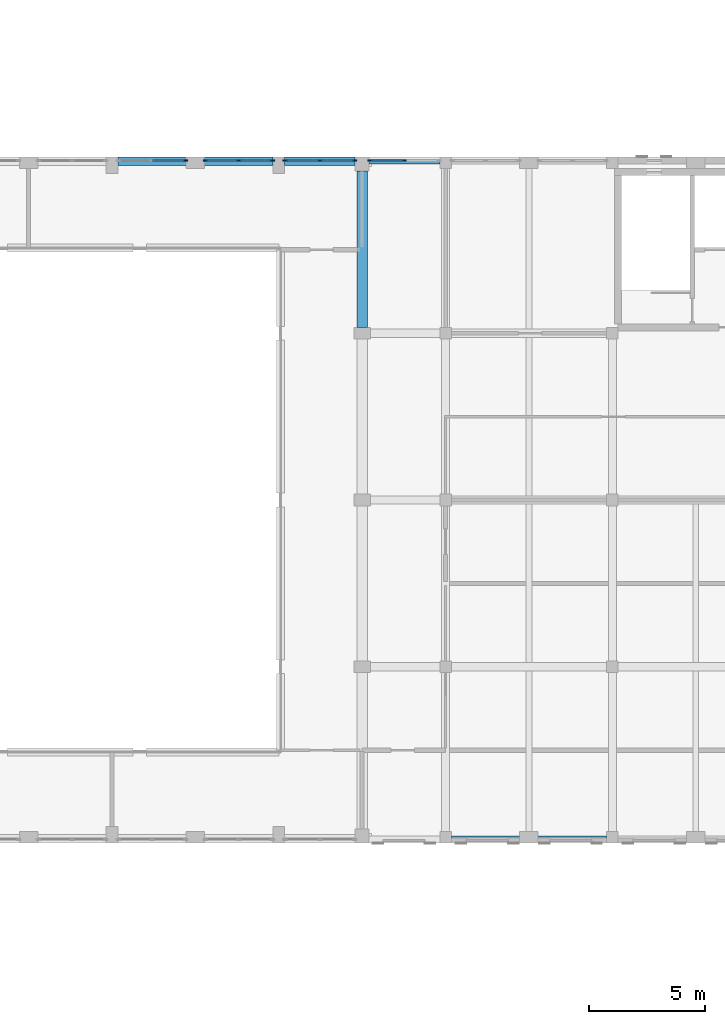
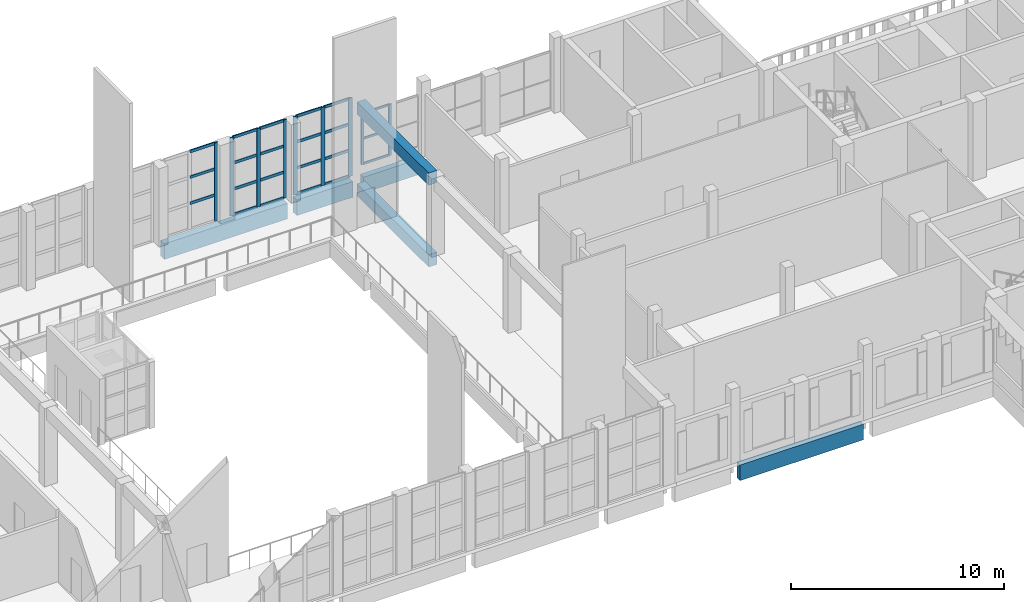
# One storey, part 9 of 54: 31 members, 6 beams, 4 elements without a shape of their own.
"""IFC4 building model written with IfcOpenShell, lengths in metres."""

from ifc_helpers import new_model, si_unit, direction, frame, origin, origin_2d, place, context, subcontext, project, spatial, rectangle, extrude, material, layer, layer_set, material_profile, profile_set, type_object, element, aggregate, save


model = new_model("IFC4")

# Units and contexts
model_context = context("Model", 3, precision=1e-05, world=origin(), true_north=direction((0.0, 1.0)))
body_context = subcontext(model_context, "Body", "Model", "MODEL_VIEW")
ifc_project = project(units=[si_unit("LENGTHUNIT", "METRE"), si_unit("AREAUNIT", "SQUARE_METRE"), si_unit("VOLUMEUNIT", "CUBIC_METRE"), si_unit("PLANEANGLEUNIT", "RADIAN"), si_unit("MASSUNIT", "GRAM", prefix="KILO")], contexts=[model_context])

# Site, building, storey
site_placement = place(None, origin())
site = spatial("IfcSite", under=ifc_project, at=site_placement, CompositionType="ELEMENT")
building_placement = place(site_placement, origin())
building = spatial("IfcBuilding", under=site, at=building_placement, Name="Ussher Court Research Institute", CompositionType="ELEMENT")
storey_placement = place(building_placement, frame((0.0, 0.0, 14.39990234375)))
storey = spatial("IfcBuildingStorey", under=building, at=storey_placement, Name="L03", CompositionType="ELEMENT", Elevation=14.39990234375)

# Curtain wall, members
ifc_material_1 = material(Name="Bronze anodised aluminium with solar-control glass", Category="aluminium")
ifc_layer_1 = layer(ifc_material_1, 0.1201171875)
ifc_layer_set_1 = layer_set([ifc_layer_1], Name="Bronze anodised aluminium with solar-control glass")
curtain_wall_type_1 = type_object("IfcCurtainWallType", Name="Curtain wall reading gallery front", PredefinedType="NOTDEFINED", material=ifc_layer_set_1)
curtain_wall_1_placement = place(storey_placement, origin())
curtain_wall_1 = element("IfcCurtainWall", 1, at=curtain_wall_1_placement, inside=storey, type_object=curtain_wall_type_1, Name="Curtain wall CW12 L03", PredefinedType="NOTDEFINED")
ifc_material_2 = material(Name="Bronze anodised aluminium", Category="aluminium")
ifc_material_profile_1 = material_profile(ifc_material_2, rectangle(XDim=0.06005859375, YDim=0.159912109375, at=origin_2d()), Name="Mullion 60x160")
ifc_profile_set_1 = profile_set([ifc_material_profile_1], Name="Bronze anodised aluminium")
member_type_1 = type_object("IfcMemberType", Name="Mullion 60x160", PredefinedType="MULLION", material=ifc_profile_set_1)
member_1_placement = place(storey_placement, frame((64.530029296875, 40.25, 0.4501953125), z_axis=(0.0, 0.0, 1.0), x_axis=(0.0, 1.0, 0.0)))
member_1 = element("IfcMember", 2, at=member_1_placement, type_object=member_type_1, Name="CW12 mullion 1", PredefinedType="MULLION", context=body_context, shape_type="SweptSolid", body=[
    extrude(rectangle(XDim=0.06005859375, YDim=0.159912109375, at=origin_2d()), origin(), (0.0, 0.0, 1.0), 2.949951171875),
])
member_2_placement = place(storey_placement, frame((66.02490234375, 40.25, 0.4501953125), z_axis=(0.0, 0.0, 1.0), x_axis=(0.0, 1.0, 0.0)))
member_2 = element("IfcMember", 3, at=member_2_placement, type_object=member_type_1, Name="CW12 mullion 2", PredefinedType="MULLION", context=body_context, shape_type="SweptSolid", body=[
    extrude(rectangle(XDim=0.06005859375, YDim=0.159912109375, at=origin_2d()), origin(), (0.0, 0.0, 1.0), 2.949951171875),
])

# Curtain wall, member
ifc_material_3 = material(Name="Bronze anodised aluminium with low-e glass", Category="aluminium")
ifc_layer_2 = layer(ifc_material_3, 0.159912109375)
ifc_layer_set_2 = layer_set([ifc_layer_2], Name="Bronze anodised aluminium with low-e glass")
curtain_wall_type_2 = type_object("IfcCurtainWallType", Name="Curtain wall atrium clerestory tall glazing", PredefinedType="NOTDEFINED", material=ifc_layer_set_2)
curtain_wall_2_placement = place(storey_placement, origin())
curtain_wall_2 = element("IfcCurtainWall", 4, at=curtain_wall_2_placement, inside=storey, type_object=curtain_wall_type_2, Name="Curtain wall CW3 L03", PredefinedType="NOTDEFINED")
ifc_material_4 = material(Name="Bronze anodised aluminium", Category="aluminium")
ifc_material_profile_2 = material_profile(ifc_material_4, rectangle(XDim=0.06005859375, YDim=0.199951171875, at=origin_2d()), Name="Mullion 60x200")
ifc_profile_set_2 = profile_set([ifc_material_profile_2], Name="Bronze anodised aluminium")
member_type_2 = type_object("IfcMemberType", Name="Mullion 60x200", PredefinedType="MULLION", material=ifc_profile_set_2)
member_3_placement = place(storey_placement, frame((56.570068359375, 40.25, 0.0), z_axis=(0.0, 0.0, 1.0), x_axis=(0.0, 1.0, 0.0)))
member_3 = element("IfcMember", 5, at=member_3_placement, type_object=member_type_2, Name="CW3 mullion 3", PredefinedType="MULLION", context=body_context, shape_type="SweptSolid", body=[
    extrude(rectangle(XDim=0.06005859375, YDim=0.199951171875, at=origin_2d()), origin(), (0.0, 0.0, 1.0), 4.5),
])

# Curtain wall, members
curtain_wall_3_placement = place(storey_placement, origin())
curtain_wall_3 = element("IfcCurtainWall", 6, at=curtain_wall_3_placement, inside=storey, type_object=curtain_wall_type_2, Name="Curtain wall CW3 L03", PredefinedType="NOTDEFINED")
member_4_placement = place(storey_placement, frame((57.429931640625, 40.25, 0.0), z_axis=(0.0, 0.0, 1.0), x_axis=(0.0, 1.0, 0.0)))
member_4 = element("IfcMember", 7, at=member_4_placement, type_object=member_type_2, Name="CW3 mullion 1", PredefinedType="MULLION", context=body_context, shape_type="SweptSolid", body=[
    extrude(rectangle(XDim=0.06005859375, YDim=0.199951171875, at=origin_2d()), origin(), (0.0, 0.0, 1.0), 4.5),
])
member_5_placement = place(storey_placement, frame((58.875, 40.25, 0.0), z_axis=(0.0, 0.0, 1.0), x_axis=(0.0, 1.0, 0.0)))
member_5 = element("IfcMember", 8, at=member_5_placement, type_object=member_type_2, Name="CW3 mullion 2", PredefinedType="MULLION", context=body_context, shape_type="SweptSolid", body=[
    extrude(rectangle(XDim=0.06005859375, YDim=0.199951171875, at=origin_2d()), origin(), (0.0, 0.0, 1.0), 4.5),
])
member_6_placement = place(storey_placement, frame((60.320068359375, 40.25, 0.0), z_axis=(0.0, 0.0, 1.0), x_axis=(0.0, 1.0, 0.0)))
member_6 = element("IfcMember", 9, at=member_6_placement, type_object=member_type_2, Name="CW3 mullion 3", PredefinedType="MULLION", context=body_context, shape_type="SweptSolid", body=[
    extrude(rectangle(XDim=0.06005859375, YDim=0.199951171875, at=origin_2d()), origin(), (0.0, 0.0, 1.0), 4.5),
])

curtain_wall_4_placement = place(storey_placement, origin())
curtain_wall_4 = element("IfcCurtainWall", 10, at=curtain_wall_4_placement, inside=storey, type_object=curtain_wall_type_2, Name="Curtain wall CW3 L03", PredefinedType="NOTDEFINED")
member_7_placement = place(storey_placement, frame((60.8798828125, 40.25, 0.0), z_axis=(0.0, 0.0, 1.0), x_axis=(0.0, 1.0, 0.0)))
member_7 = element("IfcMember", 11, at=member_7_placement, type_object=member_type_2, Name="CW3 mullion 1", PredefinedType="MULLION", context=body_context, shape_type="SweptSolid", body=[
    extrude(rectangle(XDim=0.06005859375, YDim=0.199951171875, at=origin_2d()), origin(), (0.0, 0.0, 1.0), 4.5),
])
member_8_placement = place(storey_placement, frame((62.375, 40.25, 0.0), z_axis=(0.0, 0.0, 1.0), x_axis=(0.0, 1.0, 0.0)))
member_8 = element("IfcMember", 12, at=member_8_placement, type_object=member_type_2, Name="CW3 mullion 2", PredefinedType="MULLION", context=body_context, shape_type="SweptSolid", body=[
    extrude(rectangle(XDim=0.06005859375, YDim=0.199951171875, at=origin_2d()), origin(), (0.0, 0.0, 1.0), 4.5),
])
member_9_placement = place(storey_placement, frame((63.8701171875, 40.25, 0.0), z_axis=(0.0, 0.0, 1.0), x_axis=(0.0, 1.0, 0.0)))
member_9 = element("IfcMember", 13, at=member_9_placement, type_object=member_type_2, Name="CW3 mullion 3", PredefinedType="MULLION", context=body_context, shape_type="SweptSolid", body=[
    extrude(rectangle(XDim=0.06005859375, YDim=0.199951171875, at=origin_2d()), origin(), (0.0, 0.0, 1.0), 4.5),
])

# Beams
ifc_material_5 = material(Name="Concrete C35/45", Category="concrete")
ifc_material_profile_3 = material_profile(ifc_material_5, rectangle(XDim=0.300048828125, YDim=0.89990234375, at=origin_2d()), Name="RC 300x900")
ifc_profile_set_3 = profile_set([ifc_material_profile_3], Name="Concrete C35/45")
beam_type_1 = type_object("IfcBeamType", Name="RC 300x900 beam", PredefinedType="BEAM", material=ifc_profile_set_3)
beam_1_placement = place(storey_placement, frame((68.050048828125, 10.949951171875, -0.64990234375), z_axis=(1.0, 0.0, 0.0), x_axis=(0.0, 1.0, 0.0)))
element("IfcBeam", 14, at=beam_1_placement, inside=storey, type_object=beam_type_1, Name="SB2 V7 L03-04", PredefinedType="BEAM", context=body_context, shape_type="SweptSolid", body=[
    extrude(rectangle(XDim=0.300048828125, YDim=0.89990234375, at=origin_2d()), origin(), (0.0, 0.0, 1.0), 6.699951171875),
])
beam_2_placement = place(storey_placement, frame((64.5, 40.25, -0.64990234375), z_axis=(1.0, 0.0, 0.0), x_axis=(0.0, 1.0, 0.0)))
element("IfcBeam", 15, at=beam_2_placement, inside=storey, type_object=beam_type_1, Name="SB2 V7 L03-08", PredefinedType="BEAM", context=body_context, shape_type="SweptSolid", body=[
    extrude(rectangle(XDim=0.300048828125, YDim=0.89990234375, at=origin_2d()), origin(), (0.0, 0.0, 1.0), 3.050048828125),
])
ifc_material_6 = material(Name="Concrete C35/45", Category="concrete")
ifc_material_profile_4 = material_profile(ifc_material_6, rectangle(XDim=0.35009765625, YDim=0.89990234375, at=origin_2d()), Name="RC 350x900")
ifc_profile_set_4 = profile_set([ifc_material_profile_4], Name="Concrete C35/45")
beam_type_2 = type_object("IfcBeamType", Name="RC 350x900 beam", PredefinedType="BEAM", material=ifc_profile_set_4)
beam_3_placement = place(storey_placement, frame((53.64990234375, 40.22509765625, -0.64990234375), z_axis=(1.0, 0.0, 0.0), x_axis=(0.0, 1.0, 0.0)))
element("IfcBeam", 16, at=beam_3_placement, inside=storey, type_object=beam_type_2, Name="SB1 V2 L03-07", PredefinedType="BEAM", context=body_context, shape_type="SweptSolid", body=[
    extrude(rectangle(XDim=0.35009765625, YDim=0.89990234375, at=origin_2d()), origin(), (0.0, 0.0, 1.0), 6.7001953125),
])
beam_4_placement = place(storey_placement, frame((60.85009765625, 40.22509765625, -0.64990234375), z_axis=(1.0, 0.0, 0.0), x_axis=(0.0, 1.0, 0.0)))
element("IfcBeam", 17, at=beam_4_placement, inside=storey, type_object=beam_type_2, Name="SB1 V2 L03-08", PredefinedType="BEAM", context=body_context, shape_type="SweptSolid", body=[
    extrude(rectangle(XDim=0.35009765625, YDim=0.89990234375, at=origin_2d()), origin(), (0.0, 0.0, 1.0), 3.0498046875),
])
ifc_material_7 = material(Name="Concrete C35/45", Category="concrete")
ifc_material_profile_5 = material_profile(ifc_material_7, rectangle(XDim=0.449951171875, YDim=0.699951171875, at=origin_2d()), Name="RC 450x700")
ifc_profile_set_5 = profile_set([ifc_material_profile_5], Name="Concrete C35/45")
beam_type_3 = type_object("IfcBeamType", Name="RC 450x700 beam", PredefinedType="BEAM", material=ifc_profile_set_5)
for number, where, z_axis, x_axis, name in (
    (18, (64.199951171875, 33.050048828125, -0.5498046875), (0.0, 1.0, 0.0), (-1.0, 0.0, 0.0), "B10 V2 L03-08"),
    (19, (64.199951171875, 33.050048828125, 4.150146484375), (0.0, 1.0, 0.0), (-1.0, 0.0, 0.0), "B10 V2 L03-16"),
):
    element("IfcBeam", number, at=place(storey_placement, frame(where, z_axis=z_axis, x_axis=x_axis)), inside=storey, type_object=beam_type_3, Name=name, PredefinedType="BEAM", context=body_context, shape_type="SweptSolid", body=[
        extrude(rectangle(XDim=0.449951171875, YDim=0.699951171875, at=origin_2d()), origin(), (0.0, 0.0, 1.0), 6.75),
    ])

# Member
ifc_material_8 = material(Name="Bronze anodised aluminium", Category="aluminium")
ifc_material_profile_6 = material_profile(ifc_material_8, rectangle(XDim=0.06005859375, YDim=0.1201171875, at=origin_2d()), Name="Transom 60x120")
ifc_profile_set_6 = profile_set([ifc_material_profile_6], Name="Bronze anodised aluminium")
member_type_3 = type_object("IfcMemberType", Name="Transom 60x120", PredefinedType="USERDEFINED", material=ifc_profile_set_6)
member_10_placement = place(storey_placement, frame((64.56005859375, 40.25, 0.47998046875), z_axis=(1.0, 0.0, 0.0), x_axis=(0.0, 1.0, 0.0)))
member_10 = element("IfcMember", 20, at=member_10_placement, type_object=member_type_3, Name="CW12 transom 1.1", ObjectType="TRANSOM", PredefinedType="USERDEFINED", context=body_context, shape_type="SweptSolid", body=[
    extrude(rectangle(XDim=0.06005859375, YDim=0.1201171875, at=origin_2d()), origin(), (0.0, 0.0, 1.0), 1.43505859375),
])

member_11_placement = place(storey_placement, frame((64.56005859375, 40.25, 1.925048828125), z_axis=(1.0, 0.0, 0.0), x_axis=(0.0, 1.0, 0.0)))
member_11 = element("IfcMember", 21, at=member_11_placement, type_object=member_type_3, Name="CW12 transom 1.2", ObjectType="TRANSOM", PredefinedType="USERDEFINED", context=body_context, shape_type="SweptSolid", body=[
    extrude(rectangle(XDim=0.06005859375, YDim=0.1201171875, at=origin_2d()), origin(), (0.0, 0.0, 1.0), 1.43505859375),
])

member_12_placement = place(storey_placement, frame((64.56005859375, 40.25, 3.3701171875), z_axis=(1.0, 0.0, 0.0), x_axis=(0.0, 1.0, 0.0)))
member_12 = element("IfcMember", 22, at=member_12_placement, type_object=member_type_3, Name="CW12 transom 1.3", ObjectType="TRANSOM", PredefinedType="USERDEFINED", context=body_context, shape_type="SweptSolid", body=[
    extrude(rectangle(XDim=0.06005859375, YDim=0.1201171875, at=origin_2d()), origin(), (0.0, 0.0, 1.0), 1.43505859375),
])

aggregate(curtain_wall_1, [member_1, member_2, member_10, member_11, member_12])

ifc_material_9 = material(Name="Bronze anodised aluminium", Category="aluminium")
ifc_material_profile_7 = material_profile(ifc_material_9, rectangle(XDim=0.06005859375, YDim=0.159912109375, at=origin_2d()), Name="Transom 60x160")
ifc_profile_set_7 = profile_set([ifc_material_profile_7], Name="Bronze anodised aluminium")
member_type_4 = type_object("IfcMemberType", Name="Transom 60x160", PredefinedType="USERDEFINED", material=ifc_profile_set_7)
member_13_placement = place(storey_placement, frame((55.155029296875, 40.25, 1.5), z_axis=(1.0, 0.0, 0.0), x_axis=(0.0, 1.0, 0.0)))
member_13 = element("IfcMember", 23, at=member_13_placement, type_object=member_type_4, Name="CW3 transom 2.2", ObjectType="TRANSOM", PredefinedType="USERDEFINED", context=body_context, shape_type="SweptSolid", body=[
    extrude(rectangle(XDim=0.06005859375, YDim=0.159912109375, at=origin_2d()), origin(), (0.0, 0.0, 1.0), 1.385009765625),
])

member_14_placement = place(storey_placement, frame((55.155029296875, 40.25, 3.0), z_axis=(1.0, 0.0, 0.0), x_axis=(0.0, 1.0, 0.0)))
member_14 = element("IfcMember", 24, at=member_14_placement, type_object=member_type_4, Name="CW3 transom 2.3", ObjectType="TRANSOM", PredefinedType="USERDEFINED", context=body_context, shape_type="SweptSolid", body=[
    extrude(rectangle(XDim=0.06005859375, YDim=0.159912109375, at=origin_2d()), origin(), (0.0, 0.0, 1.0), 1.385009765625),
])

member_15_placement = place(storey_placement, frame((55.155029296875, 40.25, 4.47021484375), z_axis=(1.0, 0.0, 0.0), x_axis=(0.0, 1.0, 0.0)))
member_15 = element("IfcMember", 25, at=member_15_placement, type_object=member_type_4, Name="CW3 transom 2.4", ObjectType="TRANSOM", PredefinedType="USERDEFINED", context=body_context, shape_type="SweptSolid", body=[
    extrude(rectangle(XDim=0.06005859375, YDim=0.159912109375, at=origin_2d()), origin(), (0.0, 0.0, 1.0), 1.385009765625),
])

aggregate(curtain_wall_2, [member_3, member_13, member_14, member_15])

member_16_placement = place(storey_placement, frame((57.4599609375, 40.25, 0.030029296875), z_axis=(1.0, 0.0, 0.0), x_axis=(0.0, 1.0, 0.0)))
member_16 = element("IfcMember", 26, at=member_16_placement, type_object=member_type_4, Name="CW3 transom 1.1", ObjectType="TRANSOM", PredefinedType="USERDEFINED", context=body_context, shape_type="SweptSolid", body=[
    extrude(rectangle(XDim=0.06005859375, YDim=0.159912109375, at=origin_2d()), origin(), (0.0, 0.0, 1.0), 1.385009765625),
])

member_17_placement = place(storey_placement, frame((57.4599609375, 40.25, 1.5), z_axis=(1.0, 0.0, 0.0), x_axis=(0.0, 1.0, 0.0)))
member_17 = element("IfcMember", 27, at=member_17_placement, type_object=member_type_4, Name="CW3 transom 1.2", ObjectType="TRANSOM", PredefinedType="USERDEFINED", context=body_context, shape_type="SweptSolid", body=[
    extrude(rectangle(XDim=0.06005859375, YDim=0.159912109375, at=origin_2d()), origin(), (0.0, 0.0, 1.0), 1.385009765625),
])

member_18_placement = place(storey_placement, frame((57.4599609375, 40.25, 3.0), z_axis=(1.0, 0.0, 0.0), x_axis=(0.0, 1.0, 0.0)))
member_18 = element("IfcMember", 28, at=member_18_placement, type_object=member_type_4, Name="CW3 transom 1.3", ObjectType="TRANSOM", PredefinedType="USERDEFINED", context=body_context, shape_type="SweptSolid", body=[
    extrude(rectangle(XDim=0.06005859375, YDim=0.159912109375, at=origin_2d()), origin(), (0.0, 0.0, 1.0), 1.385009765625),
])

member_19_placement = place(storey_placement, frame((57.4599609375, 40.25, 4.47021484375), z_axis=(1.0, 0.0, 0.0), x_axis=(0.0, 1.0, 0.0)))
member_19 = element("IfcMember", 29, at=member_19_placement, type_object=member_type_4, Name="CW3 transom 1.4", ObjectType="TRANSOM", PredefinedType="USERDEFINED", context=body_context, shape_type="SweptSolid", body=[
    extrude(rectangle(XDim=0.06005859375, YDim=0.159912109375, at=origin_2d()), origin(), (0.0, 0.0, 1.0), 1.385009765625),
])

member_20_placement = place(storey_placement, frame((58.905029296875, 40.25, 0.030029296875), z_axis=(1.0, 0.0, 0.0), x_axis=(0.0, 1.0, 0.0)))
member_20 = element("IfcMember", 30, at=member_20_placement, type_object=member_type_4, Name="CW3 transom 2.1", ObjectType="TRANSOM", PredefinedType="USERDEFINED", context=body_context, shape_type="SweptSolid", body=[
    extrude(rectangle(XDim=0.06005859375, YDim=0.159912109375, at=origin_2d()), origin(), (0.0, 0.0, 1.0), 1.385009765625),
])

member_21_placement = place(storey_placement, frame((58.905029296875, 40.25, 1.5), z_axis=(1.0, 0.0, 0.0), x_axis=(0.0, 1.0, 0.0)))
member_21 = element("IfcMember", 31, at=member_21_placement, type_object=member_type_4, Name="CW3 transom 2.2", ObjectType="TRANSOM", PredefinedType="USERDEFINED", context=body_context, shape_type="SweptSolid", body=[
    extrude(rectangle(XDim=0.06005859375, YDim=0.159912109375, at=origin_2d()), origin(), (0.0, 0.0, 1.0), 1.385009765625),
])

member_22_placement = place(storey_placement, frame((58.905029296875, 40.25, 3.0), z_axis=(1.0, 0.0, 0.0), x_axis=(0.0, 1.0, 0.0)))
member_22 = element("IfcMember", 32, at=member_22_placement, type_object=member_type_4, Name="CW3 transom 2.3", ObjectType="TRANSOM", PredefinedType="USERDEFINED", context=body_context, shape_type="SweptSolid", body=[
    extrude(rectangle(XDim=0.06005859375, YDim=0.159912109375, at=origin_2d()), origin(), (0.0, 0.0, 1.0), 1.385009765625),
])

member_23_placement = place(storey_placement, frame((58.905029296875, 40.25, 4.47021484375), z_axis=(1.0, 0.0, 0.0), x_axis=(0.0, 1.0, 0.0)))
member_23 = element("IfcMember", 33, at=member_23_placement, type_object=member_type_4, Name="CW3 transom 2.4", ObjectType="TRANSOM", PredefinedType="USERDEFINED", context=body_context, shape_type="SweptSolid", body=[
    extrude(rectangle(XDim=0.06005859375, YDim=0.159912109375, at=origin_2d()), origin(), (0.0, 0.0, 1.0), 1.385009765625),
])

aggregate(curtain_wall_3, [member_4, member_5, member_6, member_16, member_17, member_18, member_19, member_20, member_21, member_22, member_23])

member_24_placement = place(storey_placement, frame((60.909912109375, 40.25, 0.030029296875), z_axis=(1.0, 0.0, 0.0), x_axis=(0.0, 1.0, 0.0)))
member_24 = element("IfcMember", 34, at=member_24_placement, type_object=member_type_4, Name="CW3 transom 1.1", ObjectType="TRANSOM", PredefinedType="USERDEFINED", context=body_context, shape_type="SweptSolid", body=[
    extrude(rectangle(XDim=0.06005859375, YDim=0.159912109375, at=origin_2d()), origin(), (0.0, 0.0, 1.0), 1.43505859375),
])

member_25_placement = place(storey_placement, frame((60.909912109375, 40.25, 1.5), z_axis=(1.0, 0.0, 0.0), x_axis=(0.0, 1.0, 0.0)))
member_25 = element("IfcMember", 35, at=member_25_placement, type_object=member_type_4, Name="CW3 transom 1.2", ObjectType="TRANSOM", PredefinedType="USERDEFINED", context=body_context, shape_type="SweptSolid", body=[
    extrude(rectangle(XDim=0.06005859375, YDim=0.159912109375, at=origin_2d()), origin(), (0.0, 0.0, 1.0), 1.43505859375),
])

member_26_placement = place(storey_placement, frame((60.909912109375, 40.25, 3.0), z_axis=(1.0, 0.0, 0.0), x_axis=(0.0, 1.0, 0.0)))
member_26 = element("IfcMember", 36, at=member_26_placement, type_object=member_type_4, Name="CW3 transom 1.3", ObjectType="TRANSOM", PredefinedType="USERDEFINED", context=body_context, shape_type="SweptSolid", body=[
    extrude(rectangle(XDim=0.06005859375, YDim=0.159912109375, at=origin_2d()), origin(), (0.0, 0.0, 1.0), 1.43505859375),
])

member_27_placement = place(storey_placement, frame((60.909912109375, 40.25, 4.47021484375), z_axis=(1.0, 0.0, 0.0), x_axis=(0.0, 1.0, 0.0)))
member_27 = element("IfcMember", 37, at=member_27_placement, type_object=member_type_4, Name="CW3 transom 1.4", ObjectType="TRANSOM", PredefinedType="USERDEFINED", context=body_context, shape_type="SweptSolid", body=[
    extrude(rectangle(XDim=0.06005859375, YDim=0.159912109375, at=origin_2d()), origin(), (0.0, 0.0, 1.0), 1.43505859375),
])

member_28_placement = place(storey_placement, frame((62.405029296875, 40.25, 0.030029296875), z_axis=(1.0, 0.0, 0.0), x_axis=(0.0, 1.0, 0.0)))
member_28 = element("IfcMember", 38, at=member_28_placement, type_object=member_type_4, Name="CW3 transom 2.1", ObjectType="TRANSOM", PredefinedType="USERDEFINED", context=body_context, shape_type="SweptSolid", body=[
    extrude(rectangle(XDim=0.06005859375, YDim=0.159912109375, at=origin_2d()), origin(), (0.0, 0.0, 1.0), 1.43505859375),
])

member_29_placement = place(storey_placement, frame((62.405029296875, 40.25, 1.5), z_axis=(1.0, 0.0, 0.0), x_axis=(0.0, 1.0, 0.0)))
member_29 = element("IfcMember", 39, at=member_29_placement, type_object=member_type_4, Name="CW3 transom 2.2", ObjectType="TRANSOM", PredefinedType="USERDEFINED", context=body_context, shape_type="SweptSolid", body=[
    extrude(rectangle(XDim=0.06005859375, YDim=0.159912109375, at=origin_2d()), origin(), (0.0, 0.0, 1.0), 1.43505859375),
])

member_30_placement = place(storey_placement, frame((62.405029296875, 40.25, 3.0), z_axis=(1.0, 0.0, 0.0), x_axis=(0.0, 1.0, 0.0)))
member_30 = element("IfcMember", 40, at=member_30_placement, type_object=member_type_4, Name="CW3 transom 2.3", ObjectType="TRANSOM", PredefinedType="USERDEFINED", context=body_context, shape_type="SweptSolid", body=[
    extrude(rectangle(XDim=0.06005859375, YDim=0.159912109375, at=origin_2d()), origin(), (0.0, 0.0, 1.0), 1.43505859375),
])

member_31_placement = place(storey_placement, frame((62.405029296875, 40.25, 4.47021484375), z_axis=(1.0, 0.0, 0.0), x_axis=(0.0, 1.0, 0.0)))
member_31 = element("IfcMember", 41, at=member_31_placement, type_object=member_type_4, Name="CW3 transom 2.4", ObjectType="TRANSOM", PredefinedType="USERDEFINED", context=body_context, shape_type="SweptSolid", body=[
    extrude(rectangle(XDim=0.06005859375, YDim=0.159912109375, at=origin_2d()), origin(), (0.0, 0.0, 1.0), 1.43505859375),
])

aggregate(curtain_wall_4, [member_7, member_8, member_9, member_24, member_25, member_26, member_27, member_28, member_29, member_30, member_31])

save(model, "model.ifc")
